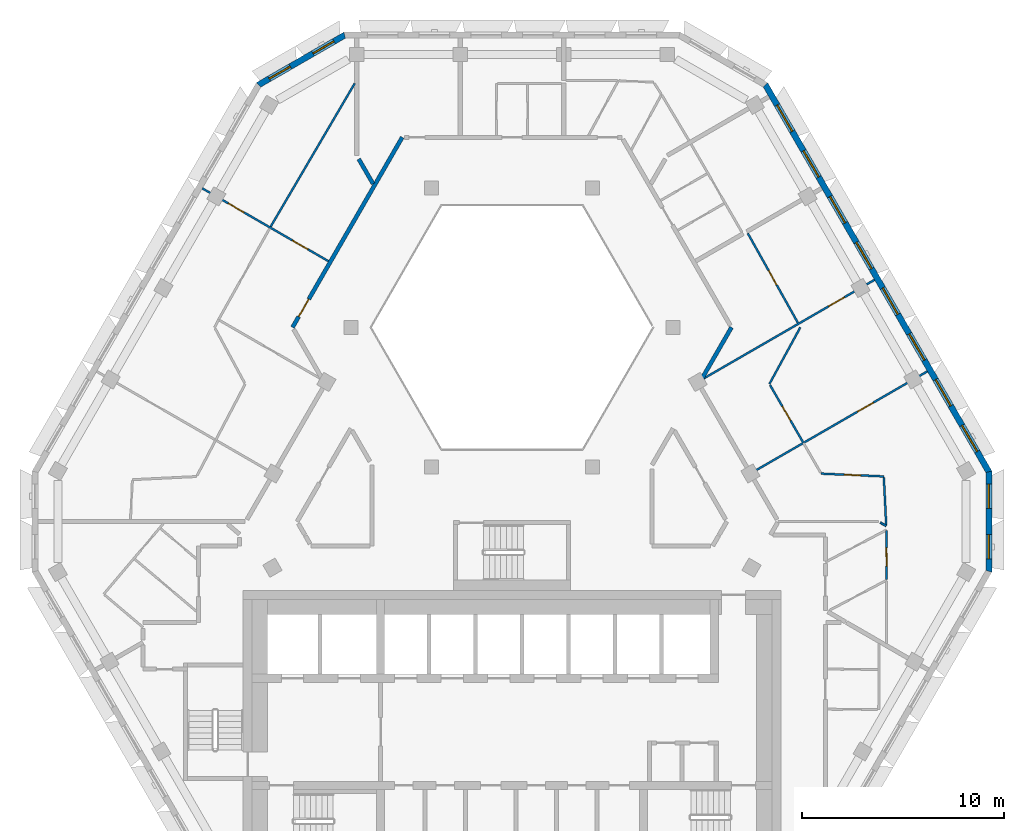
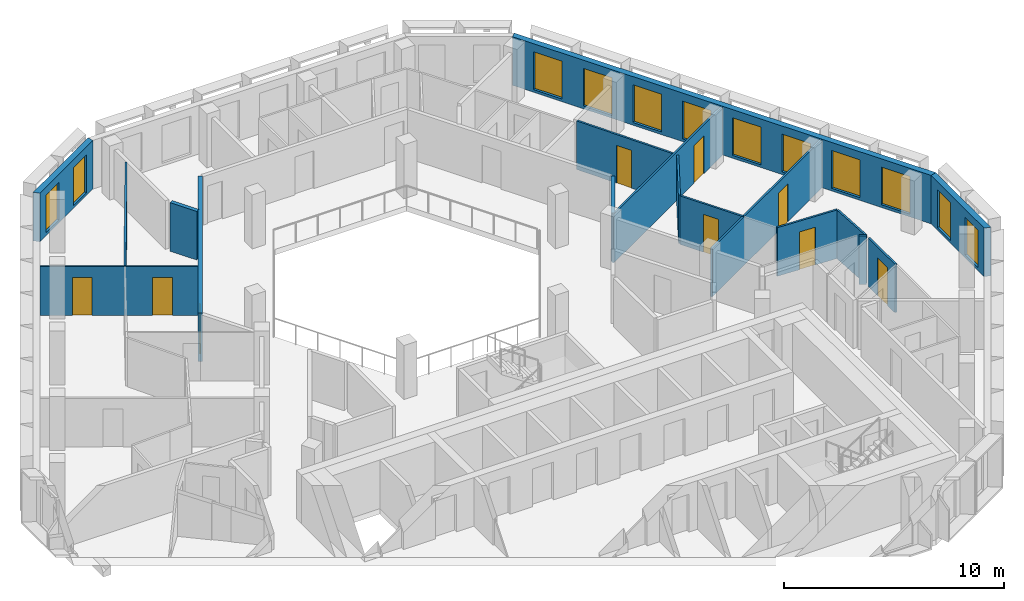
# One storey, part 7 of 16: 17 walls, 12 windows, 9 doors, 21 openings.
"""IFC4 building model written with IfcOpenShell, lengths in metres."""

from ifc_helpers import new_model, si_unit, direction, frame, frame_2d, origin, place, context, subcontext, project, spatial, polyline, rectangle, outline, extrude, material, layer, layer_set, type_object, element, fill, save


model = new_model("IFC4")

# Units and contexts
model_context = context("Model", 3, precision=1e-05, world=origin(), true_north=direction((0.0, 1.0)))
body_context = subcontext(model_context, "Body", "Model", "MODEL_VIEW")
ifc_project = project(units=[si_unit("LENGTHUNIT", "METRE"), si_unit("AREAUNIT", "SQUARE_METRE"), si_unit("VOLUMEUNIT", "CUBIC_METRE"), si_unit("PLANEANGLEUNIT", "RADIAN"), si_unit("MASSUNIT", "GRAM", prefix="KILO")], contexts=[model_context])

# Site, building, storey
site_placement = place(None, origin())
site = spatial("IfcSite", under=ifc_project, at=site_placement, CompositionType="ELEMENT")
building_placement = place(site_placement, origin())
building = spatial("IfcBuilding", under=site, at=building_placement, Name="Beryl Residences", CompositionType="ELEMENT")
storey_placement = place(building_placement, frame((0.0, 0.0, 232.800048828125)))
storey = spatial("IfcBuildingStorey", under=building, at=storey_placement, Name="L72", CompositionType="ELEMENT", Elevation=232.800048828125)

# Wall, openings, windows
ifc_material_1 = material(Name="Composite metal panel with mineral wool insulation")
ifc_layer_1 = layer(ifc_material_1, 0.300048828125)
ifc_layer_set_1 = layer_set([ifc_layer_1], Name="ES1 pale metal composite panel wall 300 mm")
wall_type_1 = type_object("IfcWallType", Name="ES1 pale metal composite panel wall 300 mm", PredefinedType="SOLIDWALL", material=ifc_layer_set_1)
wall_1_placement = place(storey_placement, frame((-8.239013671875, 22.469970703125, 0.0), z_axis=(0.0, 0.0, 1.0), x_axis=(-0.866022959057, -0.500004234368, 0.0)))
wall_1 = element("IfcWall", 1, at=wall_1_placement, inside=storey, type_object=wall_type_1, Name="ES1 external wall L72 N-NW", PredefinedType="SOLIDWALL", context=body_context, shape_type="SweptSolid", body=[
    extrude(outline(polyline([(0.0, -0.14990234375), (5.0, -0.14990234375), (4.919677734375, 0.14990234375), (0.080322265625, 0.14990234375), (0.0, -0.14990234375)])), origin(), (0.0, 0.0, 1.0), 2.699951171875),
])
opening_1_placement = place(wall_1_placement, frame((0.64990234375, 0.0, 0.14990234375)))
opening_1 = element("IfcOpeningElement", 2, at=opening_1_placement, cuts=wall_1, Name="Opening W2", PredefinedType="OPENING", context=body_context, shape_type="SweptSolid", body=[
    extrude(rectangle(XDim=1.199951171875, YDim=2.10009765625, at=frame_2d((0.60009765625, 1.050048828125))), frame((0.0, 0.159912109375, 0.0), z_axis=(0.0, -1.0, 0.0), x_axis=(1.0, 0.0, 0.0)), (0.0, 0.0, 1.0), 0.320068359375),
])
opening_2_placement = place(wall_1_placement, frame((3.14892578125, 0.0, 0.14990234375)))
opening_2 = element("IfcOpeningElement", 3, at=opening_2_placement, cuts=wall_1, Name="Opening W2", PredefinedType="OPENING", context=body_context, shape_type="SweptSolid", body=[
    extrude(rectangle(XDim=1.199951171875, YDim=2.10009765625, at=frame_2d((0.60009765625, 1.050048828125))), frame((0.0, 0.159912109375, 0.0), z_axis=(0.0, -1.0, 0.0), x_axis=(1.0, 0.0, 0.0)), (0.0, 0.0, 1.0), 0.320068359375),
])
ifc_material_2 = material(Name="Aluminium and clear glass", Category="aluminium")
window_type_1 = type_object("IfcWindowType", Name="W2 chamfer window 1200 x 2100 mm", PartitioningType="SINGLE_PANEL", PredefinedType="WINDOW", material=ifc_material_2)
window_1_placement = place(opening_1_placement, origin())
window_1 = element("IfcWindow", 4, at=window_1_placement, inside=storey, type_object=window_type_1, Name="W2 window L72 N-NW 1", OverallHeight=2.10009765625, OverallWidth=1.199951171875, PartitioningType="SINGLE_PANEL", PredefinedType="WINDOW", context=body_context, shape_type="SweptSolid", body=[
    extrude(rectangle(XDim=1.199951171875, YDim=2.10009765625, at=frame_2d((0.60009765625, 1.050048828125))), frame((0.0, 0.030029296875, 0.0), z_axis=(0.0, -1.0, 0.0), x_axis=(1.0, 0.0, 0.0)), (0.0, 0.0, 1.0), 0.06005859375),
])
fill(opening_1, window_1)
window_2_placement = place(opening_2_placement, origin())
window_2 = element("IfcWindow", 5, at=window_2_placement, inside=storey, type_object=window_type_1, Name="W2 window L72 N-NW 2", OverallHeight=2.10009765625, OverallWidth=1.199951171875, PartitioningType="SINGLE_PANEL", PredefinedType="WINDOW", context=body_context, shape_type="SweptSolid", body=[
    extrude(rectangle(XDim=1.199951171875, YDim=2.10009765625, at=frame_2d((0.60009765625, 1.050048828125))), frame((0.0, 0.030029296875, 0.0), z_axis=(0.0, -1.0, 0.0), x_axis=(1.0, 0.0, 0.0)), (0.0, 0.0, 1.0), 0.06005859375),
])
fill(opening_2, window_2)

wall_2_placement = place(storey_placement, frame((23.5791015625, -4.10009765625, 0.0), z_axis=(0.0, 0.0, 1.0), x_axis=(0.0, 1.0, 0.0)))
wall_2 = element("IfcWall", 6, at=wall_2_placement, inside=storey, type_object=wall_type_1, Name="ES1 external wall L72 SE-NE", PredefinedType="SOLIDWALL", context=body_context, shape_type="SweptSolid", body=[
    extrude(outline(polyline([(0.0, -0.14990234375), (5.0, -0.14990234375), (4.919677734375, 0.14990234375), (0.080322265625, 0.14990234375), (0.0, -0.14990234375)])), origin(), (0.0, 0.0, 1.0), 2.699951171875),
])
opening_3_placement = place(wall_2_placement, frame((0.64990234375, 0.0, 0.14990234375)))
opening_3 = element("IfcOpeningElement", 7, at=opening_3_placement, cuts=wall_2, Name="Opening W2", PredefinedType="OPENING", context=body_context, shape_type="SweptSolid", body=[
    extrude(rectangle(XDim=1.199951171875, YDim=2.10009765625, at=frame_2d((0.60009765625, 1.050048828125))), frame((0.0, 0.159912109375, 0.0), z_axis=(0.0, -1.0, 0.0), x_axis=(1.0, 0.0, 0.0)), (0.0, 0.0, 1.0), 0.320068359375),
])
opening_4_placement = place(wall_2_placement, frame((3.14990234375, 0.0, 0.14990234375)))
opening_4 = element("IfcOpeningElement", 8, at=opening_4_placement, cuts=wall_2, Name="Opening W2", PredefinedType="OPENING", context=body_context, shape_type="SweptSolid", body=[
    extrude(rectangle(XDim=1.199951171875, YDim=2.10009765625, at=frame_2d((0.60009765625, 1.050048828125))), frame((0.0, 0.159912109375, 0.0), z_axis=(0.0, -1.0, 0.0), x_axis=(1.0, 0.0, 0.0)), (0.0, 0.0, 1.0), 0.320068359375),
])
window_3_placement = place(opening_3_placement, origin())
window_3 = element("IfcWindow", 9, at=window_3_placement, inside=storey, type_object=window_type_1, Name="W2 window L72 SE-NE 1", OverallHeight=2.10009765625, OverallWidth=1.199951171875, PartitioningType="SINGLE_PANEL", PredefinedType="WINDOW", context=body_context, shape_type="SweptSolid", body=[
    extrude(rectangle(XDim=1.199951171875, YDim=2.10009765625, at=frame_2d((0.60009765625, 1.050048828125))), frame((0.0, 0.030029296875, 0.0), z_axis=(0.0, -1.0, 0.0), x_axis=(1.0, 0.0, 0.0)), (0.0, 0.0, 1.0), 0.06005859375),
])
fill(opening_3, window_3)
window_4_placement = place(opening_4_placement, origin())
window_4 = element("IfcWindow", 10, at=window_4_placement, inside=storey, type_object=window_type_1, Name="W2 window L72 SE-NE 2", OverallHeight=2.10009765625, OverallWidth=1.199951171875, PartitioningType="SINGLE_PANEL", PredefinedType="WINDOW", context=body_context, shape_type="SweptSolid", body=[
    extrude(rectangle(XDim=1.199951171875, YDim=2.10009765625, at=frame_2d((0.60009765625, 1.050048828125))), frame((0.0, 0.030029296875, 0.0), z_axis=(0.0, -1.0, 0.0), x_axis=(1.0, 0.0, 0.0)), (0.0, 0.0, 1.0), 0.06005859375),
])
fill(opening_4, window_4)

wall_3_placement = place(storey_placement, frame((23.59912109375, 0.824951171875, 0.0), z_axis=(0.0, 0.0, 1.0), x_axis=(-0.500003656944, 0.866023292436, 0.0)))
wall_3 = element("IfcWall", 11, at=wall_3_placement, inside=storey, type_object=wall_type_1, Name="ES1 external wall L72 NE", PredefinedType="SOLIDWALL", context=body_context, shape_type="SweptSolid", body=[
    extrude(outline(polyline([(0.0, -0.14990234375), (22.170166015625, -0.14990234375), (22.08984375, 0.14990234375), (0.080322265625, 0.14990234375), (0.0, -0.14990234375)])), origin(), (0.0, 0.0, 1.0), 2.699951171875),
])
opening_5_placement = place(wall_3_placement, frame((1.19091796875, 0.0, 0.14990234375)))
opening_5 = element("IfcOpeningElement", 12, at=opening_5_placement, cuts=wall_3, Name="Opening W1", PredefinedType="OPENING", context=body_context, shape_type="SweptSolid", body=[
    extrude(rectangle(XDim=1.5, YDim=2.10009765625, at=frame_2d((0.75, 1.050048828125))), frame((0.0, 0.159912109375, 0.0), z_axis=(0.0, -1.0, 0.0), x_axis=(1.0, 0.0, 0.0)), (0.0, 0.0, 1.0), 0.320068359375),
])
opening_6_placement = place(wall_3_placement, frame((3.803955078125, 0.0, 0.14990234375)))
opening_6 = element("IfcOpeningElement", 13, at=opening_6_placement, cuts=wall_3, Name="Opening W1", PredefinedType="OPENING", context=body_context, shape_type="SweptSolid", body=[
    extrude(rectangle(XDim=1.5, YDim=2.10009765625, at=frame_2d((0.75, 1.050048828125))), frame((0.0, 0.159912109375, 0.0), z_axis=(0.0, -1.0, 0.0), x_axis=(1.0, 0.0, 0.0)), (0.0, 0.0, 1.0), 0.320068359375),
])
opening_7_placement = place(wall_3_placement, frame((6.4169921875, 0.0, 0.14990234375)))
opening_7 = element("IfcOpeningElement", 14, at=opening_7_placement, cuts=wall_3, Name="Opening W1", PredefinedType="OPENING", context=body_context, shape_type="SweptSolid", body=[
    extrude(rectangle(XDim=1.5, YDim=2.10009765625, at=frame_2d((0.75, 1.050048828125))), frame((0.0, 0.159912109375, 0.0), z_axis=(0.0, -1.0, 0.0), x_axis=(1.0, 0.0, 0.0)), (0.0, 0.0, 1.0), 0.320068359375),
])
opening_8_placement = place(wall_3_placement, frame((9.029052734375, 0.0, 0.14990234375)))
opening_8 = element("IfcOpeningElement", 15, at=opening_8_placement, cuts=wall_3, Name="Opening W1", PredefinedType="OPENING", context=body_context, shape_type="SweptSolid", body=[
    extrude(rectangle(XDim=1.5, YDim=2.10009765625, at=frame_2d((0.75, 1.050048828125))), frame((0.0, 0.159912109375, 0.0), z_axis=(0.0, -1.0, 0.0), x_axis=(1.0, 0.0, 0.0)), (0.0, 0.0, 1.0), 0.320068359375),
])
opening_9_placement = place(wall_3_placement, frame((11.64111328125, 0.0, 0.14990234375)))
opening_9 = element("IfcOpeningElement", 16, at=opening_9_placement, cuts=wall_3, Name="Opening W1", PredefinedType="OPENING", context=body_context, shape_type="SweptSolid", body=[
    extrude(rectangle(XDim=1.5, YDim=2.10009765625, at=frame_2d((0.75, 1.050048828125))), frame((0.0, 0.159912109375, 0.0), z_axis=(0.0, -1.0, 0.0), x_axis=(1.0, 0.0, 0.0)), (0.0, 0.0, 1.0), 0.320068359375),
])
opening_10_placement = place(wall_3_placement, frame((14.25390625, 0.0, 0.14990234375)))
opening_10 = element("IfcOpeningElement", 17, at=opening_10_placement, cuts=wall_3, Name="Opening W1", PredefinedType="OPENING", context=body_context, shape_type="SweptSolid", body=[
    extrude(rectangle(XDim=1.5, YDim=2.10009765625, at=frame_2d((0.75, 1.050048828125))), frame((0.0, 0.159912109375, 0.0), z_axis=(0.0, -1.0, 0.0), x_axis=(1.0, 0.0, 0.0)), (0.0, 0.0, 1.0), 0.320068359375),
])
opening_11_placement = place(wall_3_placement, frame((16.865966796875, 0.0, 0.14990234375)))
opening_11 = element("IfcOpeningElement", 18, at=opening_11_placement, cuts=wall_3, Name="Opening W1", PredefinedType="OPENING", context=body_context, shape_type="SweptSolid", body=[
    extrude(rectangle(XDim=1.5, YDim=2.10009765625, at=frame_2d((0.75, 1.050048828125))), frame((0.0, 0.159912109375, 0.0), z_axis=(0.0, -1.0, 0.0), x_axis=(1.0, 0.0, 0.0)), (0.0, 0.0, 1.0), 0.320068359375),
])
opening_12_placement = place(wall_3_placement, frame((19.47900390625, 0.0, 0.14990234375)))
opening_12 = element("IfcOpeningElement", 19, at=opening_12_placement, cuts=wall_3, Name="Opening W1", PredefinedType="OPENING", context=body_context, shape_type="SweptSolid", body=[
    extrude(rectangle(XDim=1.5, YDim=2.10009765625, at=frame_2d((0.75, 1.050048828125))), frame((0.0, 0.159912109375, 0.0), z_axis=(0.0, -1.0, 0.0), x_axis=(1.0, 0.0, 0.0)), (0.0, 0.0, 1.0), 0.320068359375),
])
ifc_material_3 = material(Name="Aluminium and clear glass", Category="aluminium")
window_type_2 = type_object("IfcWindowType", Name="W1 cell window 1500 x 2100 mm", PartitioningType="SINGLE_PANEL", PredefinedType="WINDOW", material=ifc_material_3)
window_5_placement = place(opening_5_placement, origin())
window_5 = element("IfcWindow", 20, at=window_5_placement, inside=storey, type_object=window_type_2, Name="W1 window L72 NE 1", OverallHeight=2.10009765625, OverallWidth=1.5, PartitioningType="SINGLE_PANEL", PredefinedType="WINDOW", context=body_context, shape_type="SweptSolid", body=[
    extrude(rectangle(XDim=1.5, YDim=2.10009765625, at=frame_2d((0.75, 1.050048828125))), frame((0.0, 0.030029296875, 0.0), z_axis=(0.0, -1.0, 0.0), x_axis=(1.0, 0.0, 0.0)), (0.0, 0.0, 1.0), 0.06005859375),
])
fill(opening_5, window_5)
window_6_placement = place(opening_6_placement, origin())
window_6 = element("IfcWindow", 21, at=window_6_placement, inside=storey, type_object=window_type_2, Name="W1 window L72 NE 2", OverallHeight=2.10009765625, OverallWidth=1.5, PartitioningType="SINGLE_PANEL", PredefinedType="WINDOW", context=body_context, shape_type="SweptSolid", body=[
    extrude(rectangle(XDim=1.5, YDim=2.10009765625, at=frame_2d((0.75, 1.050048828125))), frame((0.0, 0.030029296875, 0.0), z_axis=(0.0, -1.0, 0.0), x_axis=(1.0, 0.0, 0.0)), (0.0, 0.0, 1.0), 0.06005859375),
])
fill(opening_6, window_6)
window_7_placement = place(opening_7_placement, origin())
window_7 = element("IfcWindow", 22, at=window_7_placement, inside=storey, type_object=window_type_2, Name="W1 window L72 NE 3", OverallHeight=2.10009765625, OverallWidth=1.5, PartitioningType="SINGLE_PANEL", PredefinedType="WINDOW", context=body_context, shape_type="SweptSolid", body=[
    extrude(rectangle(XDim=1.5, YDim=2.10009765625, at=frame_2d((0.75, 1.050048828125))), frame((0.0, 0.030029296875, 0.0), z_axis=(0.0, -1.0, 0.0), x_axis=(1.0, 0.0, 0.0)), (0.0, 0.0, 1.0), 0.06005859375),
])
fill(opening_7, window_7)
window_8_placement = place(opening_8_placement, origin())
window_8 = element("IfcWindow", 23, at=window_8_placement, inside=storey, type_object=window_type_2, Name="W1 window L72 NE 4", OverallHeight=2.10009765625, OverallWidth=1.5, PartitioningType="SINGLE_PANEL", PredefinedType="WINDOW", context=body_context, shape_type="SweptSolid", body=[
    extrude(rectangle(XDim=1.5, YDim=2.10009765625, at=frame_2d((0.75, 1.050048828125))), frame((0.0, 0.030029296875, 0.0), z_axis=(0.0, -1.0, 0.0), x_axis=(1.0, 0.0, 0.0)), (0.0, 0.0, 1.0), 0.06005859375),
])
fill(opening_8, window_8)
window_9_placement = place(opening_9_placement, origin())
window_9 = element("IfcWindow", 24, at=window_9_placement, inside=storey, type_object=window_type_2, Name="W1 window L72 NE 5", OverallHeight=2.10009765625, OverallWidth=1.5, PartitioningType="SINGLE_PANEL", PredefinedType="WINDOW", context=body_context, shape_type="SweptSolid", body=[
    extrude(rectangle(XDim=1.5, YDim=2.10009765625, at=frame_2d((0.75, 1.050048828125))), frame((0.0, 0.030029296875, 0.0), z_axis=(0.0, -1.0, 0.0), x_axis=(1.0, 0.0, 0.0)), (0.0, 0.0, 1.0), 0.06005859375),
])
fill(opening_9, window_9)
window_10_placement = place(opening_10_placement, origin())
window_10 = element("IfcWindow", 25, at=window_10_placement, inside=storey, type_object=window_type_2, Name="W1 window L72 NE 6", OverallHeight=2.10009765625, OverallWidth=1.5, PartitioningType="SINGLE_PANEL", PredefinedType="WINDOW", context=body_context, shape_type="SweptSolid", body=[
    extrude(rectangle(XDim=1.5, YDim=2.10009765625, at=frame_2d((0.75, 1.050048828125))), frame((0.0, 0.030029296875, 0.0), z_axis=(0.0, -1.0, 0.0), x_axis=(1.0, 0.0, 0.0)), (0.0, 0.0, 1.0), 0.06005859375),
])
fill(opening_10, window_10)
window_11_placement = place(opening_11_placement, origin())
window_11 = element("IfcWindow", 26, at=window_11_placement, inside=storey, type_object=window_type_2, Name="W1 window L72 NE 7", OverallHeight=2.10009765625, OverallWidth=1.5, PartitioningType="SINGLE_PANEL", PredefinedType="WINDOW", context=body_context, shape_type="SweptSolid", body=[
    extrude(rectangle(XDim=1.5, YDim=2.10009765625, at=frame_2d((0.75, 1.050048828125))), frame((0.0, 0.030029296875, 0.0), z_axis=(0.0, -1.0, 0.0), x_axis=(1.0, 0.0, 0.0)), (0.0, 0.0, 1.0), 0.06005859375),
])
fill(opening_11, window_11)
window_12_placement = place(opening_12_placement, origin())
window_12 = element("IfcWindow", 27, at=window_12_placement, inside=storey, type_object=window_type_2, Name="W1 window L72 NE 8", OverallHeight=2.10009765625, OverallWidth=1.5, PartitioningType="SINGLE_PANEL", PredefinedType="WINDOW", context=body_context, shape_type="SweptSolid", body=[
    extrude(rectangle(XDim=1.5, YDim=2.10009765625, at=frame_2d((0.75, 1.050048828125))), frame((0.0, 0.030029296875, 0.0), z_axis=(0.0, -1.0, 0.0), x_axis=(1.0, 0.0, 0.0)), (0.0, 0.0, 1.0), 0.06005859375),
])
fill(opening_12, window_12)

# Wall, opening, door
ifc_material_4 = material(Name="Gypsum board partition on steel studs", Category="steel")
ifc_layer_2 = layer(ifc_material_4, 0.10009765625)
ifc_layer_set_2 = layer_set([ifc_layer_2], Name="PT1 partition 100 mm gypsum board on steel studs")
wall_type_2 = type_object("IfcWallType", Name="PT1 partition 100 mm gypsum board on steel studs", PredefinedType="PARTITIONING", material=ifc_layer_set_2)
wall_4_placement = place(storey_placement, frame((12.759033203125, 5.14990234375, 0.0), z_axis=(0.0, 0.0, 1.0), x_axis=(0.499905801698, -0.866079782369, 0.0)))
wall_4 = element("IfcWall", 28, at=wall_4_placement, inside=storey, type_object=wall_type_2, Name="Wall PT1 L72 005", PredefinedType="PARTITIONING", context=body_context, shape_type="SweptSolid", body=[
    extrude(rectangle(XDim=3.304443359375, YDim=0.10009765625, at=frame_2d((1.65234375, 0.0))), origin(), (0.0, 0.0, 1.0), 2.699951171875),
])
opening_13_placement = place(wall_4_placement, frame((1.222900390625, 0.0, 0.0)))
opening_13 = element("IfcOpeningElement", 29, at=opening_13_placement, cuts=wall_4, Name="Opening D1911", PredefinedType="OPENING", context=body_context, shape_type="SweptSolid", body=[
    extrude(rectangle(XDim=0.800048828125, YDim=2.10009765625, at=frame_2d((0.39990234375, 1.050048828125))), frame((0.0, 0.06005859375, 0.0), z_axis=(0.0, -1.0, 0.0), x_axis=(1.0, 0.0, 0.0)), (0.0, 0.0, 1.0), 0.1201171875),
])
ifc_material_5 = material(Name="Timber door leaf", Category="wood")
door_type_1 = type_object("IfcDoorType", Name="D3 bathroom door 800 x 2100 mm", OperationType="SINGLE_SWING_LEFT", PredefinedType="DOOR", material=ifc_material_5)
door_1_placement = place(opening_13_placement, origin())
door_1 = element("IfcDoor", 30, at=door_1_placement, inside=storey, type_object=door_type_1, Name="Door D1911 L72 001", OperationType="SINGLE_SWING_LEFT", OverallHeight=2.10009765625, OverallWidth=0.800048828125, PredefinedType="DOOR", context=body_context, shape_type="SweptSolid", body=[
    extrude(rectangle(XDim=0.800048828125, YDim=2.10009765625, at=frame_2d((0.39990234375, 1.050048828125))), frame((0.0, 0.02490234375, 0.0), z_axis=(0.0, -1.0, 0.0), x_axis=(1.0, 0.0, 0.0)), (0.0, 0.0, 1.0), 0.050048828125),
])
fill(opening_13, door_1)

wall_5_placement = place(storey_placement, frame((11.659912109375, 12.64990234375, 0.0), z_axis=(0.0, 0.0, 1.0), x_axis=(0.488650242737, -0.872479764965, 0.0)))
wall_5 = element("IfcWall", 31, at=wall_5_placement, inside=storey, type_object=wall_type_2, Name="Wall PT1 L72 007", PredefinedType="PARTITIONING", context=body_context, shape_type="SweptSolid", body=[
    extrude(rectangle(XDim=5.0751953125, YDim=0.10009765625, at=frame_2d((2.53759765625, 0.0))), origin(), (0.0, 0.0, 1.0), 2.699951171875),
])
opening_14_placement = place(wall_5_placement, frame((2.113037109375, 0.0, 0.0)))
opening_14 = element("IfcOpeningElement", 32, at=opening_14_placement, cuts=wall_5, Name="Opening D1912", PredefinedType="OPENING", context=body_context, shape_type="SweptSolid", body=[
    extrude(rectangle(XDim=0.800048828125, YDim=2.10009765625, at=frame_2d((0.39990234375, 1.050048828125))), frame((0.0, 0.06005859375, 0.0), z_axis=(0.0, -1.0, 0.0), x_axis=(1.0, 0.0, 0.0)), (0.0, 0.0, 1.0), 0.1201171875),
])
door_2_placement = place(opening_14_placement, origin())
door_2 = element("IfcDoor", 33, at=door_2_placement, inside=storey, type_object=door_type_1, Name="Door D1912 L72 001", OperationType="SINGLE_SWING_RIGHT", OverallHeight=2.10009765625, OverallWidth=0.800048828125, PredefinedType="DOOR", context=body_context, shape_type="SweptSolid", body=[
    extrude(rectangle(XDim=0.800048828125, YDim=2.10009765625, at=frame_2d((0.39990234375, 1.050048828125))), frame((0.0, 0.02490234375, 0.0), z_axis=(0.0, -1.0, 0.0), x_axis=(1.0, 0.0, 0.0)), (0.0, 0.0, 1.0), 0.050048828125),
])
fill(opening_14, door_2)

# Wall
wall_6_placement = place(storey_placement, frame((18.387939453125, 0.5791015625, 0.0), z_axis=(0.0, 0.0, 1.0), x_axis=(0.049097293833, -0.998794000652, 0.0)))
element("IfcWall", 34, at=wall_6_placement, inside=storey, type_object=wall_type_2, Name="Wall PT1 L72 009", PredefinedType="PARTITIONING", context=body_context, shape_type="SweptSolid", body=[
    extrude(rectangle(XDim=2.362060546875, YDim=0.10009765625, at=frame_2d((1.18115234375, 0.0))), origin(), (0.0, 0.0, 1.0), 2.699951171875),
])

# Wall, opening, door
wall_7_placement = place(storey_placement, frame((18.514892578125, -2.052978515625, 0.0), z_axis=(0.0, 0.0, 1.0), x_axis=(0.003338710651, -0.99999442649, 0.0)))
wall_7 = element("IfcWall", 35, at=wall_7_placement, inside=storey, type_object=wall_type_2, Name="Wall PT1 L72 010", PredefinedType="PARTITIONING", context=body_context, shape_type="SweptSolid", body=[
    extrude(rectangle(XDim=2.4130859375, YDim=0.10009765625, at=frame_2d((1.20654296875, 0.0))), origin(), (0.0, 0.0, 1.0), 2.699951171875),
])
opening_15_placement = place(wall_7_placement, frame((0.84912109375, 0.0, 0.0)))
opening_15 = element("IfcOpeningElement", 36, at=opening_15_placement, cuts=wall_7, Name="Opening D1907", PredefinedType="OPENING", context=body_context, shape_type="SweptSolid", body=[
    extrude(rectangle(XDim=0.89990234375, YDim=2.10009765625, at=frame_2d((0.449951171875, 1.050048828125))), frame((0.0, 0.06005859375, 0.0), z_axis=(0.0, -1.0, 0.0), x_axis=(1.0, 0.0, 0.0)), (0.0, 0.0, 1.0), 0.1201171875),
])
ifc_material_6 = material(Name="Timber door leaf", Category="wood")
door_type_2 = type_object("IfcDoorType", Name="D2 room door 900 x 2100 mm", OperationType="SINGLE_SWING_LEFT", PredefinedType="DOOR", material=ifc_material_6)
door_3_placement = place(opening_15_placement, origin())
door_3 = element("IfcDoor", 37, at=door_3_placement, inside=storey, type_object=door_type_2, Name="Door D1907 L72 001", OperationType="SINGLE_SWING_LEFT", OverallHeight=2.10009765625, OverallWidth=0.89990234375, PredefinedType="DOOR", context=body_context, shape_type="SweptSolid", body=[
    extrude(rectangle(XDim=0.89990234375, YDim=2.10009765625, at=frame_2d((0.449951171875, 1.050048828125))), frame((0.0, 0.02490234375, 0.0), z_axis=(0.0, -1.0, 0.0), x_axis=(1.0, 0.0, 0.0)), (0.0, 0.0, 1.0), 0.050048828125),
])
fill(opening_15, door_3)

wall_8_placement = place(storey_placement, frame((15.2880859375, 0.76806640625, 0.0), z_axis=(0.0, 0.0, 1.0), x_axis=(0.999006028269, -0.044575278833, 0.0)))
wall_8 = element("IfcWall", 38, at=wall_8_placement, inside=storey, type_object=wall_type_2, Name="Wall PT1 L72 011", PredefinedType="PARTITIONING", context=body_context, shape_type="SweptSolid", body=[
    extrude(rectangle(XDim=3.10009765625, YDim=0.10009765625, at=frame_2d((1.550048828125, 0.0))), origin(), (0.0, 0.0, 1.0), 2.699951171875),
])
opening_16_placement = place(wall_8_placement, frame((1.14990234375, 0.0, 0.0)))
opening_16 = element("IfcOpeningElement", 39, at=opening_16_placement, cuts=wall_8, Name="Opening D1909", PredefinedType="OPENING", context=body_context, shape_type="SweptSolid", body=[
    extrude(rectangle(XDim=0.800048828125, YDim=2.10009765625, at=frame_2d((0.39990234375, 1.050048828125))), frame((0.0, 0.06005859375, 0.0), z_axis=(0.0, -1.0, 0.0), x_axis=(1.0, 0.0, 0.0)), (0.0, 0.0, 1.0), 0.1201171875),
])
door_4_placement = place(opening_16_placement, origin())
door_4 = element("IfcDoor", 40, at=door_4_placement, inside=storey, type_object=door_type_1, Name="Door D1909 L72 001", OperationType="SINGLE_SWING_LEFT", OverallHeight=2.10009765625, OverallWidth=0.800048828125, PredefinedType="DOOR", context=body_context, shape_type="SweptSolid", body=[
    extrude(rectangle(XDim=0.800048828125, YDim=2.10009765625, at=frame_2d((0.39990234375, 1.050048828125))), frame((0.0, 0.02490234375, 0.0), z_axis=(0.0, -1.0, 0.0), x_axis=(1.0, 0.0, 0.0)), (0.0, 0.0, 1.0), 0.050048828125),
])
fill(opening_16, door_4)

# Wall, openings, doors
wall_9_placement = place(storey_placement, frame((-15.31396484375, 14.875, 0.0), z_axis=(0.0, 0.0, 1.0), x_axis=(0.866001485781, -0.500041424909, 0.0)))
wall_9 = element("IfcWall", 41, at=wall_9_placement, inside=storey, type_object=wall_type_2, Name="Wall PT1 L72 015", PredefinedType="PARTITIONING", context=body_context, shape_type="SweptSolid", body=[
    extrude(rectangle(XDim=7.19970703125, YDim=0.10009765625, at=frame_2d((3.599853515625, 0.0))), origin(), (0.0, 0.0, 1.0), 2.699951171875),
])
opening_17_placement = place(wall_9_placement, frame((5.136962890625, 0.0, 0.0)))
opening_17 = element("IfcOpeningElement", 42, at=opening_17_placement, cuts=wall_9, Name="Opening D1928", PredefinedType="OPENING", context=body_context, shape_type="SweptSolid", body=[
    extrude(rectangle(XDim=0.89990234375, YDim=2.10009765625, at=frame_2d((0.449951171875, 1.050048828125))), frame((0.0, 0.06005859375, 0.0), z_axis=(0.0, -1.0, 0.0), x_axis=(1.0, 0.0, 0.0)), (0.0, 0.0, 1.0), 0.1201171875),
])
opening_18_placement = place(wall_9_placement, frame((1.487060546875, 0.0, 0.0)))
opening_18 = element("IfcOpeningElement", 43, at=opening_18_placement, cuts=wall_9, Name="Opening D1930", PredefinedType="OPENING", context=body_context, shape_type="SweptSolid", body=[
    extrude(rectangle(XDim=0.89990234375, YDim=2.10009765625, at=frame_2d((0.449951171875, 1.050048828125))), frame((0.0, 0.06005859375, 0.0), z_axis=(0.0, -1.0, 0.0), x_axis=(1.0, 0.0, 0.0)), (0.0, 0.0, 1.0), 0.1201171875),
])
door_5_placement = place(opening_17_placement, origin())
door_5 = element("IfcDoor", 44, at=door_5_placement, inside=storey, type_object=door_type_2, Name="Door D1928 L72 001", OperationType="SINGLE_SWING_RIGHT", OverallHeight=2.10009765625, OverallWidth=0.89990234375, PredefinedType="DOOR", context=body_context, shape_type="SweptSolid", body=[
    extrude(rectangle(XDim=0.89990234375, YDim=2.10009765625, at=frame_2d((0.449951171875, 1.050048828125))), frame((0.0, 0.02490234375, 0.0), z_axis=(0.0, -1.0, 0.0), x_axis=(1.0, 0.0, 0.0)), (0.0, 0.0, 1.0), 0.050048828125),
])
fill(opening_17, door_5)
door_6_placement = place(opening_18_placement, origin())
door_6 = element("IfcDoor", 45, at=door_6_placement, inside=storey, type_object=door_type_2, Name="Door D1930 L72 001", OperationType="SINGLE_SWING_RIGHT", OverallHeight=2.10009765625, OverallWidth=0.89990234375, PredefinedType="DOOR", context=body_context, shape_type="SweptSolid", body=[
    extrude(rectangle(XDim=0.89990234375, YDim=2.10009765625, at=frame_2d((0.449951171875, 1.050048828125))), frame((0.0, 0.02490234375, 0.0), z_axis=(0.0, -1.0, 0.0), x_axis=(1.0, 0.0, 0.0)), (0.0, 0.0, 1.0), 0.050048828125),
])
fill(opening_18, door_6)

# Walls
wall_10_placement = place(storey_placement, frame((18.2119140625, -1.64892578125, 0.0), z_axis=(0.0, 0.0, 1.0), x_axis=(0.865622947871, -0.500696427109, 0.0)))
element("IfcWall", 46, at=wall_10_placement, inside=storey, type_object=wall_type_2, Name="Wall PT1 L72 016", PredefinedType="PARTITIONING", context=body_context, shape_type="SweptSolid", body=[
    extrude(rectangle(XDim=0.33984375, YDim=0.10009765625, at=frame_2d((0.169921875, 0.0))), origin(), (0.0, 0.0, 1.0), 2.699951171875),
])
wall_11_placement = place(storey_placement, frame((-11.93408203125, 12.98095703125, 0.0), z_axis=(0.0, 0.0, 1.0), x_axis=(0.506072703404, 0.862490822484, 0.0)))
element("IfcWall", 47, at=wall_11_placement, inside=storey, type_object=wall_type_2, Name="Wall PT1 L72 024", PredefinedType="PARTITIONING", context=body_context, shape_type="SweptSolid", body=[
    extrude(rectangle(XDim=8.212158203125, YDim=0.10009765625, at=frame_2d((4.10595703125, 0.0))), origin(), (0.0, 0.0, 1.0), 2.699951171875),
])
wall_12_placement = place(storey_placement, frame((12.72900390625, 5.200927734375, 0.0), z_axis=(0.0, 0.0, 1.0), x_axis=(0.478932598182, 0.877851676764, 0.0)))
element("IfcWall", 48, at=wall_12_placement, inside=storey, type_object=wall_type_2, Name="Wall PT1 L72 027", PredefinedType="PARTITIONING", context=body_context, shape_type="SweptSolid", body=[
    extrude(rectangle(XDim=3.1884765625, YDim=0.10009765625, at=frame_2d((1.59423828125, 0.0))), origin(), (0.0, 0.0, 1.0), 2.699951171875),
])

# Wall, opening, door
wall_13_placement = place(storey_placement, frame((11.87890625, 0.825927734375, 0.0), z_axis=(0.0, 0.0, 1.0), x_axis=(0.866065245018, 0.499930986609, 0.0)))
wall_13 = element("IfcWall", 49, at=wall_13_placement, inside=storey, type_object=wall_type_2, Name="Wall PT1 L72 040", PredefinedType="PARTITIONING", context=body_context, shape_type="SweptSolid", body=[
    extrude(rectangle(XDim=9.99951171875, YDim=0.10009765625, at=frame_2d((4.999755859375, 0.0))), origin(), (0.0, 0.0, 1.0), 2.699951171875),
])
opening_19_placement = place(wall_13_placement, frame((6.011962890625, 0.0, 0.0)))
opening_19 = element("IfcOpeningElement", 50, at=opening_19_placement, cuts=wall_13, Name="Opening D1908", PredefinedType="OPENING", context=body_context, shape_type="SweptSolid", body=[
    extrude(rectangle(XDim=0.89990234375, YDim=2.10009765625, at=frame_2d((0.449951171875, 1.050048828125))), frame((0.0, 0.06005859375, 0.0), z_axis=(0.0, -1.0, 0.0), x_axis=(1.0, 0.0, 0.0)), (0.0, 0.0, 1.0), 0.1201171875),
])
door_7_placement = place(opening_19_placement, origin())
door_7 = element("IfcDoor", 51, at=door_7_placement, inside=storey, type_object=door_type_2, Name="Door D1908 L72 001", OperationType="SINGLE_SWING_RIGHT", OverallHeight=2.10009765625, OverallWidth=0.89990234375, PredefinedType="DOOR", context=body_context, shape_type="SweptSolid", body=[
    extrude(rectangle(XDim=0.89990234375, YDim=2.10009765625, at=frame_2d((0.449951171875, 1.050048828125))), frame((0.0, 0.02490234375, 0.0), z_axis=(0.0, -1.0, 0.0), x_axis=(1.0, 0.0, 0.0)), (0.0, 0.0, 1.0), 0.050048828125),
])
fill(opening_19, door_7)

wall_14_placement = place(storey_placement, frame((9.35400390625, 5.40087890625, 0.0), z_axis=(0.0, 0.0, 1.0), x_axis=(0.866018411306, 0.500012111133, 0.0)))
wall_14 = element("IfcWall", 52, at=wall_14_placement, inside=storey, type_object=wall_type_2, Name="Wall PT1 L72 041", PredefinedType="PARTITIONING", context=body_context, shape_type="SweptSolid", body=[
    extrude(rectangle(XDim=9.898193359375, YDim=0.10009765625, at=frame_2d((4.94921875, 0.0))), origin(), (0.0, 0.0, 1.0), 2.699951171875),
])
opening_20_placement = place(wall_14_placement, frame((7.277099609375, 0.0, 0.0)))
opening_20 = element("IfcOpeningElement", 53, at=opening_20_placement, cuts=wall_14, Name="Opening D1910", PredefinedType="OPENING", context=body_context, shape_type="SweptSolid", body=[
    extrude(rectangle(XDim=0.89990234375, YDim=2.10009765625, at=frame_2d((0.449951171875, 1.050048828125))), frame((0.0, 0.06005859375, 0.0), z_axis=(0.0, -1.0, 0.0), x_axis=(1.0, 0.0, 0.0)), (0.0, 0.0, 1.0), 0.1201171875),
])
door_8_placement = place(opening_20_placement, origin())
door_8 = element("IfcDoor", 54, at=door_8_placement, inside=storey, type_object=door_type_2, Name="Door D1910 L72 001", OperationType="SINGLE_SWING_RIGHT", OverallHeight=2.10009765625, OverallWidth=0.89990234375, PredefinedType="DOOR", context=body_context, shape_type="SweptSolid", body=[
    extrude(rectangle(XDim=0.89990234375, YDim=2.10009765625, at=frame_2d((0.449951171875, 1.050048828125))), frame((0.0, 0.02490234375, 0.0), z_axis=(0.0, -1.0, 0.0), x_axis=(1.0, 0.0, 0.0)), (0.0, 0.0, 1.0), 0.050048828125),
])
fill(opening_20, door_8)

# Walls
ifc_material_7 = material(Name="Acoustic double stud gypsum board wall")
ifc_layer_3 = layer(ifc_material_7, 0.199951171875)
ifc_layer_set_3 = layer_set([ifc_layer_3], Name="PT3 party wall 200 mm acoustic double stud")
wall_type_3 = type_object("IfcWallType", Name="PT3 party wall 200 mm acoustic double stud", PredefinedType="PARTITIONING", material=ifc_layer_set_3)
wall_15_placement = place(storey_placement, frame((-7.577880859375, 16.324951171875, 0.0), z_axis=(0.0, 0.0, 1.0), x_axis=(0.500314976313, -0.865843475737, 0.0)))
element("IfcWall", 55, at=wall_15_placement, inside=storey, type_object=wall_type_3, Name="Wall PT3 L72 002", PredefinedType="PARTITIONING", context=body_context, shape_type="SweptSolid", body=[
    extrude(rectangle(XDim=1.41455078125, YDim=0.199951171875, at=frame_2d((0.707275390625, 0.0))), origin(), (0.0, 0.0, 1.0), 2.699951171875),
])
ifc_material_8 = material(Name="Double stud gypsum board wall")
ifc_layer_4 = layer(ifc_material_8, 0.199951171875)
ifc_layer_set_4 = layer_set([ifc_layer_4], Name="PT4 corridor wall 200 mm double stud")
wall_type_4 = type_object("IfcWallType", Name="PT4 corridor wall 200 mm double stud", PredefinedType="PARTITIONING", material=ifc_layer_set_4)
wall_16_placement = place(storey_placement, frame((9.404052734375, 5.487060546875, 0.0), z_axis=(0.0, 0.0, 1.0), x_axis=(0.499768590677, 0.866158966803, 0.0)))
element("IfcWall", 56, at=wall_16_placement, inside=storey, type_object=wall_type_4, Name="Wall PT4 L72 019", PredefinedType="PARTITIONING", context=body_context, shape_type="SweptSolid", body=[
    extrude(rectangle(XDim=2.901123046875, YDim=0.199951171875, at=frame_2d((1.45068359375, 0.0))), origin(), (0.0, 0.0, 1.0), 2.699951171875),
])

# Wall, opening, door
wall_17_placement = place(storey_placement, frame((-10.85400390625, 8.0, 0.0), z_axis=(0.0, 0.0, 1.0), x_axis=(0.499997637144, 0.866026767976, 0.0)))
wall_17 = element("IfcWall", 57, at=wall_17_placement, inside=storey, type_object=wall_type_4, Name="Wall PT4 L72 025", PredefinedType="PARTITIONING", context=body_context, shape_type="SweptSolid", body=[
    extrude(rectangle(XDim=10.85400390625, YDim=0.199951171875, at=frame_2d((5.427001953125, 0.0))), origin(), (0.0, 0.0, 1.0), 2.699951171875),
])
opening_21_placement = place(wall_17_placement, frame((0.612060546875, 0.0, 0.0)))
opening_21 = element("IfcOpeningElement", 58, at=opening_21_placement, cuts=wall_17, Name="Opening D1925", PredefinedType="OPENING", context=body_context, shape_type="SweptSolid", body=[
    extrude(rectangle(XDim=1.0, YDim=2.10009765625, at=frame_2d((0.5, 1.050048828125))), frame((0.0, 0.10986328125, 0.0), z_axis=(0.0, -1.0, 0.0), x_axis=(1.0, 0.0, 0.0)), (0.0, 0.0, 1.0), 0.219970703125),
])
ifc_material_9 = material(Name="Timber door leaf", Category="wood")
door_type_3 = type_object("IfcDoorType", Name="D1 flat entrance door 1000 x 2100 mm", OperationType="SINGLE_SWING_LEFT", PredefinedType="DOOR", material=ifc_material_9)
door_9_placement = place(opening_21_placement, origin())
door_9 = element("IfcDoor", 59, at=door_9_placement, inside=storey, type_object=door_type_3, Name="Door D1925 L72 001", OperationType="SINGLE_SWING_LEFT", OverallHeight=2.10009765625, OverallWidth=1.0, PredefinedType="DOOR", context=body_context, shape_type="SweptSolid", body=[
    extrude(rectangle(XDim=1.0, YDim=2.10009765625, at=frame_2d((0.5, 1.050048828125))), frame((0.0, 0.02490234375, 0.0), z_axis=(0.0, -1.0, 0.0), x_axis=(1.0, 0.0, 0.0)), (0.0, 0.0, 1.0), 0.050048828125),
])
fill(opening_21, door_9)

save(model, "model.ifc")
